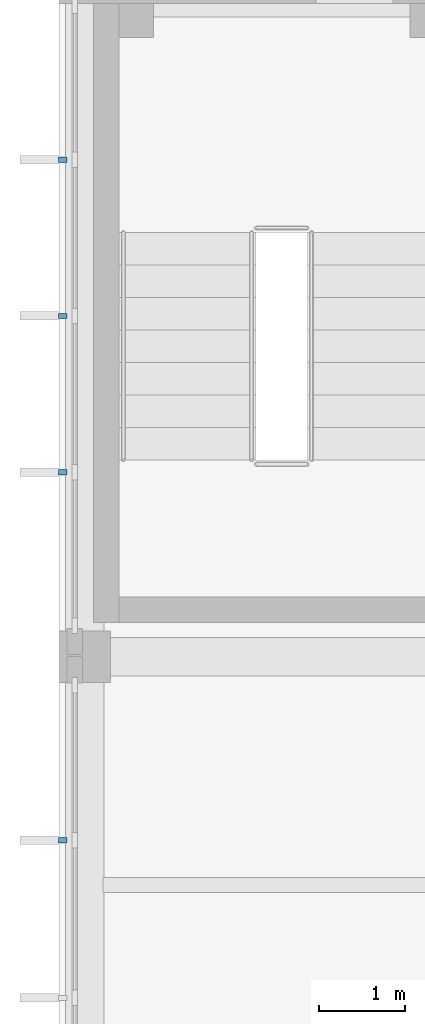
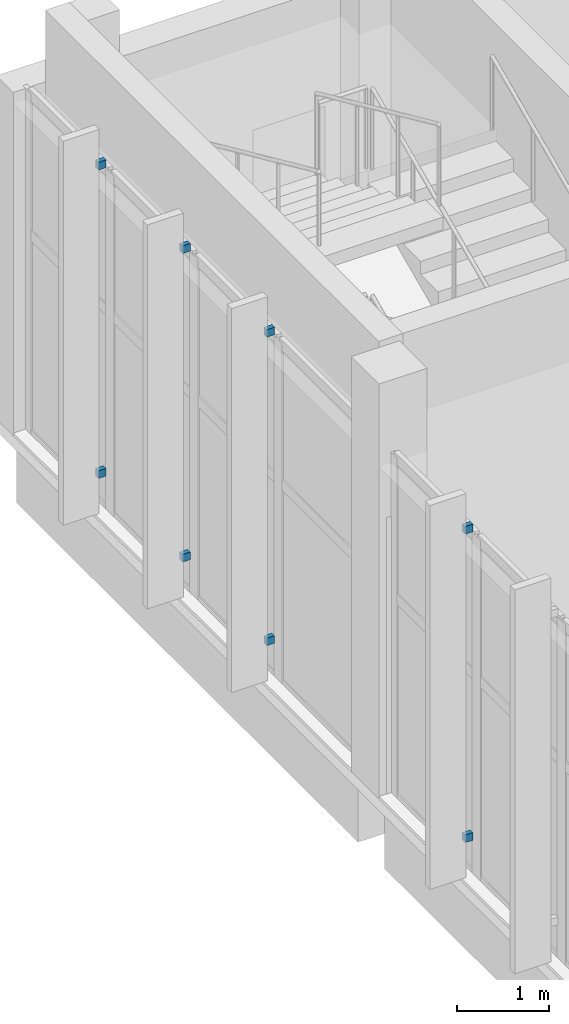
# One storey, part 53 of 87: 8 discrete accessories.
"""IFC4 building model written with IfcOpenShell, lengths in metres."""

from ifc_helpers import new_model, si_unit, direction, frame, origin, origin_2d, place, context, subcontext, project, spatial, rectangle, extrude, material, type_object, element, save


model = new_model("IFC4")

# Units and contexts
model_context = context("Model", 3, precision=1e-05, world=origin(), true_north=direction((0.0, 1.0)))
body_context = subcontext(model_context, "Body", "Model", "MODEL_VIEW")
ifc_project = project(units=[si_unit("LENGTHUNIT", "METRE"), si_unit("AREAUNIT", "SQUARE_METRE"), si_unit("VOLUMEUNIT", "CUBIC_METRE"), si_unit("PLANEANGLEUNIT", "RADIAN"), si_unit("MASSUNIT", "GRAM", prefix="KILO")], contexts=[model_context])

# Site, building, storey
site_placement = place(None, origin())
site = spatial("IfcSite", under=ifc_project, at=site_placement, CompositionType="ELEMENT")
building_placement = place(site_placement, origin())
building = spatial("IfcBuilding", under=site, at=building_placement, Name="Lunette Opera House", CompositionType="ELEMENT")
storey_placement = place(building_placement, frame((0.0, 0.0, 11.5)))
storey = spatial("IfcBuildingStorey", under=building, at=storey_placement, Name="L02", CompositionType="ELEMENT", Elevation=11.5)

# Discrete accessories
ifc_material = material(Name="Galvanised steel", Category="steel")
discrete_accessory_type = type_object("IfcDiscreteAccessoryType", Name="FIN BRACKET STEEL", PredefinedType="BRACKET", material=ifc_material)
for number, where, z_axis, x_axis, name in (
    (1, (8.0419921875, 109.80908203125, 0.56494140625), (0.0, 0.0, 1.0), (-1.0, 0.0, 0.0), "Fin bracket RW-X2029 1 1"),
    (2, (8.0419921875, 109.80908203125, 4.64990234375), (0.0, 0.0, 1.0), (-1.0, 0.0, 0.0), "Fin bracket RW-X2029 1 2"),
    (3, (8.0419921875, 107.98291015625, 0.56494140625), (0.0, 0.0, 1.0), (-1.0, 0.0, 0.0), "Fin bracket RW-X2029 2 1"),
    (4, (8.0419921875, 107.98291015625, 4.64990234375), (0.0, 0.0, 1.0), (-1.0, 0.0, 0.0), "Fin bracket RW-X2029 2 2"),
    (5, (8.0419921875, 106.156005859375, 0.56494140625), (0.0, 0.0, 1.0), (-1.0, 0.0, 0.0), "Fin bracket RW-X2029 3 1"),
    (6, (8.0419921875, 106.156005859375, 4.64990234375), (0.0, 0.0, 1.0), (-1.0, 0.0, 0.0), "Fin bracket RW-X2029 3 2"),
    (7, (8.0419921875, 101.85498046875, 0.56494140625), (0.0, 0.0, 1.0), (-1.0, 0.0, 0.0), "Fin bracket RW-X2030 1 1"),
    (8, (8.0419921875, 101.85498046875, 4.64990234375), (0.0, 0.0, 1.0), (-1.0, 0.0, 0.0), "Fin bracket RW-X2030 1 2"),
):
    element("IfcDiscreteAccessory", number, at=place(storey_placement, frame(where, z_axis=z_axis, x_axis=x_axis)), inside=storey, type_object=discrete_accessory_type, Name=name, PredefinedType="BRACKET", context=body_context, shape_type="SweptSolid", body=[
        extrude(rectangle(XDim=0.10009765625, YDim=0.06005859375, at=origin_2d()), origin(), (0.0, 0.0, 1.0), 0.10009765625),
    ])

save(model, "model.ifc")
